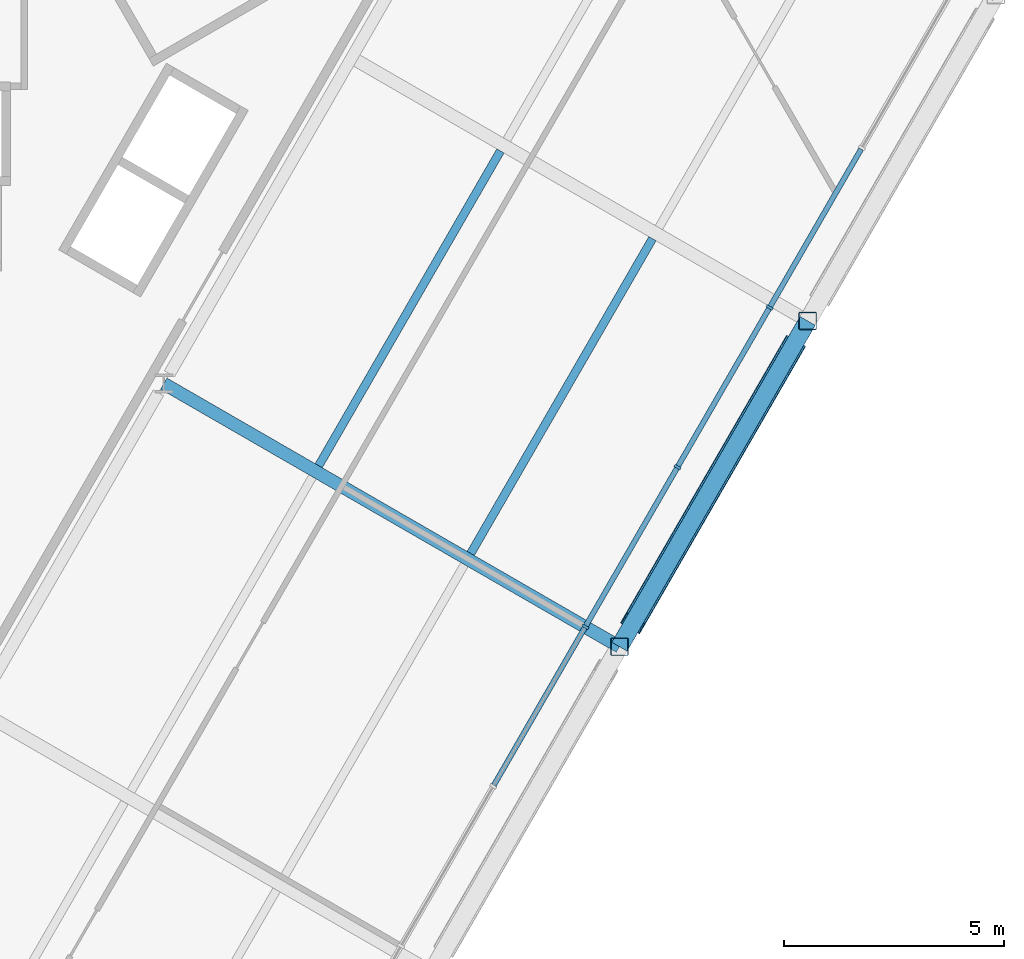
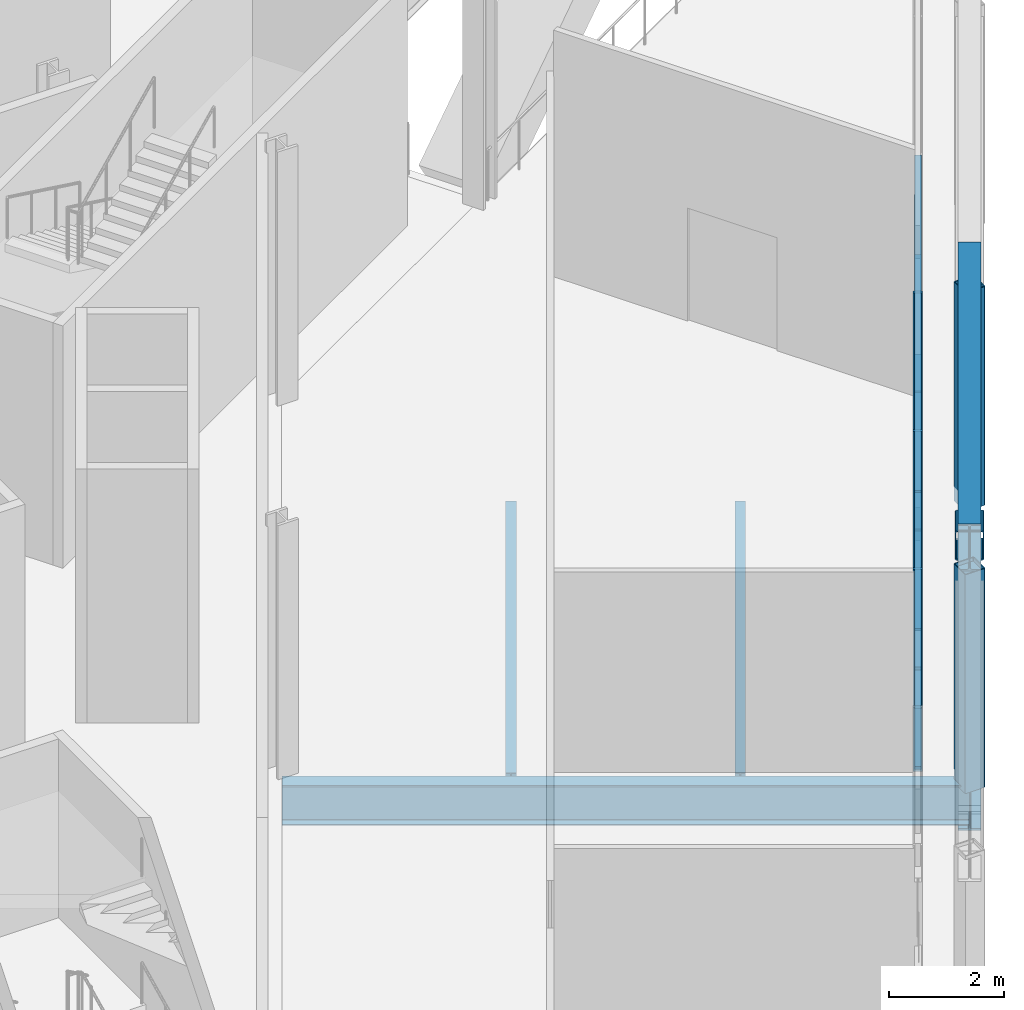
# One storey, part 5 of 20: 18 members, 3 beams, 1 element without a shape of its own.
"""IFC4 building model written with IfcOpenShell, lengths in metres."""

import ifcopenshell
import ifcopenshell.guid

model = None  # the IFC model being written
_history = None  # IfcOwnerHistory: only IFC2X3 demands one
_inside = {}  # id of a spatial element -> (the spatial element, [elements in it])
_under = {}  # id of a project, library or spatial element -> (it, [spatial elements below it])
_declared = {}  # id of a project -> (the project, [libraries it declares])
_typed = {}  # id of a type object -> (the type object, [elements of that type])
_made_of = {}  # id of a material, layer set ... -> (it, [elements and type objects made of it])


def new_model(schema):
    """Start an empty IFC model of exactly this schema.

    Asked for "IFC4X3", IfcOpenShell would pick the latest addendum, in which some entities
    have other attributes; the version numbers below select the first issue.
    IFC2X3 requires an IfcOwnerHistory on every rooted entity: one is made here for all.
    """
    global model, _history
    if schema == "IFC4X3":
        model = ifcopenshell.file(schema_version=(4, 3, 0, 0))
    else:
        model = ifcopenshell.file(schema=schema)
    _inside.clear()
    _under.clear()
    _declared.clear()
    _typed.clear()
    _made_of.clear()
    _history = None
    if model.schema == "IFC2X3":
        org = make("IfcOrganization", Name="unknown")
        user = make(
            "IfcPersonAndOrganization",
            ThePerson=make("IfcPerson", FamilyName="unknown"),
            TheOrganization=org,
        )
        app = make(
            "IfcApplication",
            ApplicationDeveloper=org,
            Version="unknown",
            ApplicationFullName="unknown",
            ApplicationIdentifier="unknown",
        )
        _history = make(
            "IfcOwnerHistory",
            OwningUser=user,
            OwningApplication=app,
            ChangeAction="ADDED",
            CreationDate=0,
        )
    return model


def make(cls, **values):
    """One entity of the class cls with the attributes given. An attribute that is None is left unset."""
    return model.create_entity(
        cls, **{name: value for name, value in values.items() if value is not None}
    )


def rooted(cls, **values):
    """An entity with a GlobalId (a new one), such as an element, a storey or a relation."""
    return make(cls, GlobalId=ifcopenshell.guid.new(), OwnerHistory=_history, **values)


def si_unit(unit_type, name, prefix=None):
    """IfcSIUnit, for example si_unit("LENGTHUNIT", "METRE", prefix="MILLI")."""
    return make("IfcSIUnit", UnitType=unit_type, Prefix=prefix, Name=name)


def assignment(units):
    """IfcUnitAssignment: the units of a project."""
    return None if units is None else make("IfcUnitAssignment", Units=units)


def point(xyz):
    """IfcCartesianPoint."""
    return None if xyz is None else make("IfcCartesianPoint", Coordinates=xyz)


def direction(xyz):
    """IfcDirection."""
    return None if xyz is None else make("IfcDirection", DirectionRatios=xyz)


def frame(location, z_axis=None, x_axis=None):
    """IfcAxis2Placement3D, a coordinate frame: its origin and axes. An axis left out is left unset."""
    return make(
        "IfcAxis2Placement3D",
        Location=point(location),
        Axis=direction(z_axis),
        RefDirection=direction(x_axis),
    )


def frame_2d(location, x_axis=None):
    """IfcAxis2Placement2D, a coordinate frame in the plane: its origin and x axis."""
    return make(
        "IfcAxis2Placement2D", Location=point(location), RefDirection=direction(x_axis)
    )


def origin():
    """The frame at (0, 0, 0) with its axes left unset."""
    return frame((0.0, 0.0, 0.0))


def origin_2d():
    """The frame at (0, 0) in the plane with its x axis left unset."""
    return frame_2d((0.0, 0.0))


def place(relative_to, where):
    """IfcLocalPlacement: puts the frame where relative to a parent placement (None: the world)."""
    return make(
        "IfcLocalPlacement", PlacementRelTo=relative_to, RelativePlacement=where
    )


def context(
    kind, dimensions, precision=None, world=None, true_north=None, identifier=None
):
    """IfcGeometricRepresentationContext, for example the 3D "Model" context."""
    return make(
        "IfcGeometricRepresentationContext",
        ContextIdentifier=identifier,
        ContextType=kind,
        CoordinateSpaceDimension=dimensions,
        Precision=precision,
        WorldCoordinateSystem=world,
        TrueNorth=true_north,
    )


def subcontext(parent, identifier, kind, view, scale=None):
    """IfcGeometricRepresentationSubContext, for example "Body" below "Model"."""
    return make(
        "IfcGeometricRepresentationSubContext",
        ContextIdentifier=identifier,
        ContextType=kind,
        ParentContext=parent,
        TargetScale=scale,
        TargetView=view,
    )


def project(units=None, contexts=None):
    """IfcProject with its units and contexts."""
    return rooted(
        "IfcProject",
        Name="project",
        RepresentationContexts=contexts,
        UnitsInContext=assignment(units),
    )


def spatial(cls, under=None, at=None, **own):
    """A site, building, storey or space (cls), placed at a placement, below another one or the project."""
    s = rooted(cls, ObjectPlacement=at, **own)
    if under is not None:
        _under.setdefault(under.id(), (under, []))[1].append(s)
    return s


def profile(cls, at=None, kind="AREA", **sizes):
    """A parametric profile (cls). Its sizes go by their IFC names, for example OverallWidth=200.0."""
    return make(cls, ProfileType=kind, Position=at, **sizes)


def rectangle(**sizes):
    """IfcRectangleProfileDef."""
    return profile("IfcRectangleProfileDef", **sizes)


def hollow_rectangle(**sizes):
    """IfcRectangleHollowProfileDef."""
    return profile("IfcRectangleHollowProfileDef", **sizes)


def i_section(**sizes):
    """IfcIShapeProfileDef."""
    return profile("IfcIShapeProfileDef", **sizes)


def extrude(swept, where, along, depth):
    """IfcExtrudedAreaSolid: the profile swept, set in the frame where, extruded along a direction by depth."""
    return make(
        "IfcExtrudedAreaSolid",
        SweptArea=swept,
        Position=where,
        ExtrudedDirection=direction(along),
        Depth=depth,
    )


def shape(context_of_items, identifier, shape_type, items):
    """IfcShapeRepresentation: the items that make up one representation, for example the "Body"."""
    return make(
        "IfcShapeRepresentation",
        ContextOfItems=context_of_items,
        RepresentationIdentifier=identifier,
        RepresentationType=shape_type,
        Items=items,
    )


def material(Name=None, Category=None):
    """IfcMaterial."""
    return make("IfcMaterial", Name=Name, Category=Category)


def layer(
    of_material, thickness, ventilated=None, Name=None, Category=None, Priority=None
):
    """IfcMaterialLayer: one layer of a wall or slab, of a material (None: an air gap)."""
    return make(
        "IfcMaterialLayer",
        Material=of_material,
        LayerThickness=thickness,
        IsVentilated=ventilated,
        Name=Name,
        Category=Category,
        Priority=Priority,
    )


def layer_set(layers, Name=None):
    """IfcMaterialLayerSet."""
    return make("IfcMaterialLayerSet", MaterialLayers=layers, LayerSetName=Name)


def material_profile(
    of_material, cross_section, Name=None, Category=None, Priority=None
):
    """IfcMaterialProfile: a cross section and its material."""
    return make(
        "IfcMaterialProfile",
        Name=Name,
        Material=of_material,
        Profile=cross_section,
        Priority=Priority,
        Category=Category,
    )


def profile_set(profiles, Name=None, composite=None):
    """IfcMaterialProfileSet."""
    return make(
        "IfcMaterialProfileSet",
        Name=Name,
        MaterialProfiles=profiles,
        CompositeProfile=composite,
    )


def made_of(thing, what):
    """Note that an element or type object is made of a material, layer set ...; save() writes the relation."""
    if what is not None:
        _made_of.setdefault(what.id(), (what, []))[1].append(thing)
    return thing


def type_object(cls, material=None, **own):
    """A type object (cls), such as IfcWallType, which elements share."""
    return made_of(rooted(cls, **own), material)


def element(
    cls,
    number,
    at=None,
    inside=None,
    cuts=None,
    type_object=None,
    material=None,
    context=None,
    identifier="Body",
    shape_type=None,
    held_by="IfcProductDefinitionShape",
    body=None,
    shapes=None,
    **own,
):
    """One element of the class cls, such as IfcWall. Its Tag is "e" and its number.

    at: its placement. inside: the storey or other place that contains it. cuts: it is an
    opening in that element (IfcRelVoidsElement). A single representation is given by context,
    identifier, shape_type and body (its items); several are given by shapes. held_by: the class
    of the entity that holds the representations. save() writes the other relations.
    """
    e = rooted(cls, Tag="e%d" % number, ObjectPlacement=at, **own)
    if body is not None:
        shapes = [shape(context, identifier, shape_type, body)]
    if shapes is not None:
        e.Representation = make(held_by, Representations=shapes)
    if inside is not None:
        _inside.setdefault(inside.id(), (inside, []))[1].append(e)
    if cuts is not None:
        rooted(
            "IfcRelVoidsElement", RelatingBuildingElement=cuts, RelatedOpeningElement=e
        )
    if type_object is not None:
        _typed.setdefault(type_object.id(), (type_object, []))[1].append(e)
    return made_of(e, material)


def aggregate(whole, parts):
    """IfcRelAggregates: a whole, such as a stair, and the parts it consists of."""
    return rooted("IfcRelAggregates", RelatingObject=whole, RelatedObjects=parts)


def save(model, path):
    """Write the relations noted so far, then the file.

    IfcRelAggregates (storeys below a building ...), IfcRelContainedInSpatialStructure (elements
    in a storey), IfcRelDefinesByType, IfcRelAssociatesMaterial and IfcRelDeclares: one each for
    every whole, place, type object, material and project.
    """
    for whole, parts in _under.values():
        aggregate(whole, parts)
    for where, things in _inside.values():
        rooted(
            "IfcRelContainedInSpatialStructure",
            RelatedElements=things,
            RelatingStructure=where,
        )
    for kind, things in _typed.values():
        rooted("IfcRelDefinesByType", RelatedObjects=things, RelatingType=kind)
    for what, things in _made_of.values():
        rooted("IfcRelAssociatesMaterial", RelatedObjects=things, RelatingMaterial=what)
    for by, libraries in _declared.values():
        rooted("IfcRelDeclares", RelatingContext=by, RelatedDefinitions=libraries)
    model.write(path)


model = new_model("IFC4")

# Units and contexts
model_context = context("Model", 3, precision=1e-05, world=origin(), true_north=direction((0.0, 1.0)))
body_context = subcontext(model_context, "Body", "Model", "MODEL_VIEW")
ifc_project = project(units=[si_unit("LENGTHUNIT", "METRE"), si_unit("AREAUNIT", "SQUARE_METRE"), si_unit("VOLUMEUNIT", "CUBIC_METRE"), si_unit("PLANEANGLEUNIT", "RADIAN"), si_unit("MASSUNIT", "GRAM", prefix="KILO")], contexts=[model_context])

# Site, building, storey
site_placement = place(None, origin())
site = spatial("IfcSite", under=ifc_project, at=site_placement, CompositionType="ELEMENT")
building_placement = place(site_placement, origin())
building = spatial("IfcBuilding", under=site, at=building_placement, Name="Verrane Prism Tower", CompositionType="ELEMENT")
storey_placement = place(building_placement, frame((0.0, 0.0, 12.0)))
storey = spatial("IfcBuildingStorey", under=building, at=storey_placement, Name="L01", CompositionType="ELEMENT", Elevation=12.0)

# Curtain wall, members
ifc_material_1 = material(Name="Aluminium and glass curtain wall", Category="aluminium")
ifc_layer = layer(ifc_material_1, 0.199951171875)
ifc_layer_set = layer_set([ifc_layer], Name="CWB-1 retail curtain wall")
curtain_wall_type = type_object("IfcCurtainWallType", Name="CWB-1 retail curtain wall", PredefinedType="NOTDEFINED", material=ifc_layer_set)
curtain_wall_placement = place(storey_placement, origin())
curtain_wall = element("IfcCurtainWall", 1, at=curtain_wall_placement, inside=storey, type_object=curtain_wall_type, Name="Retail curtain wall L01 6", PredefinedType="NOTDEFINED")
ifc_material_2 = material(Name="Aluminium", Category="aluminium")
ifc_material_profile_1 = material_profile(ifc_material_2, rectangle(XDim=0.159912109375, YDim=0.06005859375, at=origin_2d()), Name="CWB-M 60x160 mullion")
ifc_profile_set_1 = profile_set([ifc_material_profile_1], Name="Aluminium")
member_type_1 = type_object("IfcMemberType", Name="CWB-M 60x160 mullion", PredefinedType="MULLION", material=ifc_profile_set_1)
member_1_placement = place(storey_placement, frame((17.554443359375, -10.135009765625, 0.0), z_axis=(0.0, 0.0, 1.0), x_axis=(-0.866025335097, 0.50000011897, 0.0)))
member_1 = element("IfcMember", 2, at=member_1_placement, type_object=member_type_1, Name="CWB16 mullion 7", PredefinedType="MULLION", context=body_context, shape_type="SweptSolid", body=[
    extrude(rectangle(XDim=0.159912109375, YDim=0.06005859375, at=origin_2d()), origin(), (0.0, 0.0, 1.0), 4.2900390625),
])
member_2_placement = place(storey_placement, frame((19.64990234375, -6.505126953125, 0.0), z_axis=(0.0, 0.0, 1.0), x_axis=(-0.866025335097, 0.50000011897, 0.0)))
member_2 = element("IfcMember", 3, at=member_2_placement, type_object=member_type_1, Name="CWB16 mullion 8", PredefinedType="MULLION", context=body_context, shape_type="SweptSolid", body=[
    extrude(rectangle(XDim=0.159912109375, YDim=0.06005859375, at=origin_2d()), origin(), (0.0, 0.0, 1.0), 4.2900390625),
])
member_3_placement = place(storey_placement, frame((21.74560546875, -2.87548828125, 0.0), z_axis=(0.0, 0.0, 1.0), x_axis=(-0.866025335097, 0.50000011897, 0.0)))
member_3 = element("IfcMember", 4, at=member_3_placement, type_object=member_type_1, Name="CWB16 mullion 9", PredefinedType="MULLION", context=body_context, shape_type="SweptSolid", body=[
    extrude(rectangle(XDim=0.159912109375, YDim=0.06005859375, at=origin_2d()), origin(), (0.0, 0.0, 1.0), 4.2900390625),
])
ifc_material_3 = material(Name="Aluminium", Category="aluminium")
ifc_material_profile_2 = material_profile(ifc_material_3, rectangle(XDim=0.1201171875, YDim=0.06005859375, at=origin_2d()), Name="CWB-T 60x120 transom")
ifc_profile_set_2 = profile_set([ifc_material_profile_2], Name="Aluminium")
member_type_2 = type_object("IfcMemberType", Name="CWB-T 60x120 transom", PredefinedType="USERDEFINED", material=ifc_profile_set_2)
member_4_placement = place(storey_placement, frame((15.4736328125, -13.73876953125, 4.260009765625), z_axis=(0.499996977546, 0.866027148792, 0.0), x_axis=(-0.866027148792, 0.499996977546, 0.0)))
member_4 = element("IfcMember", 5, at=member_4_placement, type_object=member_type_2, Name="CWB16 transom 6.3", ObjectType="TRANSOM", PredefinedType="USERDEFINED", context=body_context, shape_type="SweptSolid", body=[
    extrude(rectangle(XDim=0.1201171875, YDim=0.06005859375, at=origin_2d()), origin(), (0.0, 0.0, 1.0), 4.13134765625),
])
member_5_placement = place(storey_placement, frame((17.5693359375, -10.109130859375, 0.030029296875), z_axis=(0.499996977546, 0.866027148792, 0.0), x_axis=(-0.866027148792, 0.499996977546, 0.0)))
member_5 = element("IfcMember", 6, at=member_5_placement, type_object=member_type_2, Name="CWB16 transom 7.1", ObjectType="TRANSOM", PredefinedType="USERDEFINED", context=body_context, shape_type="SweptSolid", body=[
    extrude(rectangle(XDim=0.1201171875, YDim=0.06005859375, at=origin_2d()), origin(), (0.0, 0.0, 1.0), 4.13134765625),
])
member_6_placement = place(storey_placement, frame((17.5693359375, -10.109130859375, 2.14501953125), z_axis=(0.499996977546, 0.866027148792, 0.0), x_axis=(-0.866027148792, 0.499996977546, 0.0)))
member_6 = element("IfcMember", 7, at=member_6_placement, type_object=member_type_2, Name="CWB16 transom 7.2", ObjectType="TRANSOM", PredefinedType="USERDEFINED", context=body_context, shape_type="SweptSolid", body=[
    extrude(rectangle(XDim=0.1201171875, YDim=0.06005859375, at=origin_2d()), origin(), (0.0, 0.0, 1.0), 4.13134765625),
])
member_7_placement = place(storey_placement, frame((17.5693359375, -10.109130859375, 4.260009765625), z_axis=(0.499996977546, 0.866027148792, 0.0), x_axis=(-0.866027148792, 0.499996977546, 0.0)))
member_7 = element("IfcMember", 8, at=member_7_placement, type_object=member_type_2, Name="CWB16 transom 7.3", ObjectType="TRANSOM", PredefinedType="USERDEFINED", context=body_context, shape_type="SweptSolid", body=[
    extrude(rectangle(XDim=0.1201171875, YDim=0.06005859375, at=origin_2d()), origin(), (0.0, 0.0, 1.0), 4.13134765625),
])
member_8_placement = place(storey_placement, frame((19.6650390625, -6.479248046875, 0.030029296875), z_axis=(0.499996977546, 0.866027148792, 0.0), x_axis=(-0.866027148792, 0.499996977546, 0.0)))
member_8 = element("IfcMember", 9, at=member_8_placement, type_object=member_type_2, Name="CWB16 transom 8.1", ObjectType="TRANSOM", PredefinedType="USERDEFINED", context=body_context, shape_type="SweptSolid", body=[
    extrude(rectangle(XDim=0.1201171875, YDim=0.06005859375, at=origin_2d()), origin(), (0.0, 0.0, 1.0), 4.13134765625),
])
member_9_placement = place(storey_placement, frame((19.6650390625, -6.479248046875, 2.14501953125), z_axis=(0.499996977546, 0.866027148792, 0.0), x_axis=(-0.866027148792, 0.499996977546, 0.0)))
member_9 = element("IfcMember", 10, at=member_9_placement, type_object=member_type_2, Name="CWB16 transom 8.2", ObjectType="TRANSOM", PredefinedType="USERDEFINED", context=body_context, shape_type="SweptSolid", body=[
    extrude(rectangle(XDim=0.1201171875, YDim=0.06005859375, at=origin_2d()), origin(), (0.0, 0.0, 1.0), 4.13134765625),
])
member_10_placement = place(storey_placement, frame((19.6650390625, -6.479248046875, 4.260009765625), z_axis=(0.499996977546, 0.866027148792, 0.0), x_axis=(-0.866027148792, 0.499996977546, 0.0)))
member_10 = element("IfcMember", 11, at=member_10_placement, type_object=member_type_2, Name="CWB16 transom 8.3", ObjectType="TRANSOM", PredefinedType="USERDEFINED", context=body_context, shape_type="SweptSolid", body=[
    extrude(rectangle(XDim=0.1201171875, YDim=0.06005859375, at=origin_2d()), origin(), (0.0, 0.0, 1.0), 4.13134765625),
])
member_11_placement = place(storey_placement, frame((21.7607421875, -2.849365234375, 0.030029296875), z_axis=(0.500022567122, 0.866012374259, 0.0), x_axis=(-0.866012374259, 0.500022567122, 0.0)))
member_11 = element("IfcMember", 12, at=member_11_placement, type_object=member_type_2, Name="CWB16 transom 9.1", ObjectType="TRANSOM", PredefinedType="USERDEFINED", context=body_context, shape_type="SweptSolid", body=[
    extrude(rectangle(XDim=0.1201171875, YDim=0.06005859375, at=origin_2d()), origin(), (0.0, 0.0, 1.0), 4.131103515625),
])
member_12_placement = place(storey_placement, frame((21.7607421875, -2.849365234375, 2.14501953125), z_axis=(0.500022567122, 0.866012374259, 0.0), x_axis=(-0.866012374259, 0.500022567122, 0.0)))
member_12 = element("IfcMember", 13, at=member_12_placement, type_object=member_type_2, Name="CWB16 transom 9.2", ObjectType="TRANSOM", PredefinedType="USERDEFINED", context=body_context, shape_type="SweptSolid", body=[
    extrude(rectangle(XDim=0.1201171875, YDim=0.06005859375, at=origin_2d()), origin(), (0.0, 0.0, 1.0), 4.131103515625),
])
member_13_placement = place(storey_placement, frame((21.7607421875, -2.849365234375, 4.260009765625), z_axis=(0.500022567122, 0.866012374259, 0.0), x_axis=(-0.866012374259, 0.500022567122, 0.0)))
member_13 = element("IfcMember", 14, at=member_13_placement, type_object=member_type_2, Name="CWB16 transom 9.3", ObjectType="TRANSOM", PredefinedType="USERDEFINED", context=body_context, shape_type="SweptSolid", body=[
    extrude(rectangle(XDim=0.1201171875, YDim=0.06005859375, at=origin_2d()), origin(), (0.0, 0.0, 1.0), 4.131103515625),
])
aggregate(curtain_wall, [member_1, member_2, member_3, member_4, member_5, member_6, member_7, member_8, member_9, member_10, member_11, member_12, member_13])

# Beams
ifc_material_4 = material(Name="Steel A992", Category="steel")
ifc_material_profile_3 = material_profile(ifc_material_4, i_section(OverallWidth=0.1904296875, OverallDepth=0.457275390625, WebThickness=0.009033203125, FlangeThickness=0.014404296875, FilletRadius=0.01025390625, at=origin_2d()), Name="W18x50")
ifc_profile_set_3 = profile_set([ifc_material_profile_3], Name="Steel A992")
beam_type_1 = type_object("IfcBeamType", Name="Floor beam W18x50", PredefinedType="BEAM", material=ifc_profile_set_3)
beam_1_placement = place(storey_placement, frame((14.947021484375, -8.46875, -0.388671875), z_axis=(0.500007931068, 0.866020824732, 0.0), x_axis=(-0.866020824732, 0.500007931068, 0.0)))
element("IfcBeam", 15, at=beam_1_placement, inside=storey, type_object=beam_type_1, Name="Floor beam L01", PredefinedType="BEAM", context=body_context, shape_type="SweptSolid", body=[
    extrude(i_section(OverallWidth=0.1904296875, OverallDepth=0.457275390625, WebThickness=0.009033203125, FlangeThickness=0.014404296875, FilletRadius=0.01025390625, at=origin_2d()), origin(), (0.0, 0.0, 1.0), 8.266357421875),
])
beam_2_placement = place(storey_placement, frame((11.48974609375, -6.47314453125, -0.388671875), z_axis=(0.500010437756, 0.866019377459, 0.0), x_axis=(-0.866019377459, 0.500010437756, 0.0)))
element("IfcBeam", 16, at=beam_2_placement, inside=storey, type_object=beam_type_1, Name="Floor beam L01", PredefinedType="BEAM", context=body_context, shape_type="SweptSolid", body=[
    extrude(i_section(OverallWidth=0.1904296875, OverallDepth=0.457275390625, WebThickness=0.009033203125, FlangeThickness=0.014404296875, FilletRadius=0.01025390625, at=origin_2d()), origin(), (0.0, 0.0, 1.0), 8.267822265625),
])
ifc_material_5 = material(Name="Steel A992", Category="steel")
ifc_material_profile_4 = material_profile(ifc_material_5, i_section(OverallWidth=0.2919921875, OverallDepth=0.845703125, WebThickness=0.015380859375, FlangeThickness=0.0244140625, FilletRadius=0.017822265625, at=origin_2d()), Name="W33x141")
ifc_profile_set_4 = profile_set([ifc_material_profile_4], Name="Steel A992")
beam_type_2 = type_object("IfcBeamType", Name="Radial girder W33x141", PredefinedType="BEAM", material=ifc_profile_set_4)
beam_3_placement = place(storey_placement, frame((18.330078125, -10.590087890625, -0.642822265625), z_axis=(-0.866021154013, 0.500007360747, 0.0), x_axis=(-0.500007360747, -0.866021154013, 0.0)))
element("IfcBeam", 17, at=beam_3_placement, inside=storey, type_object=beam_type_2, Name="Radial girder L01", PredefinedType="BEAM", context=body_context, shape_type="SweptSolid", body=[
    extrude(i_section(OverallWidth=0.2919921875, OverallDepth=0.845703125, WebThickness=0.015380859375, FlangeThickness=0.0244140625, FilletRadius=0.017822265625, at=origin_2d()), origin(), (0.0, 0.0, 1.0), 11.967041015625),
])

# Members
ifc_material_6 = material(Name="Steel A992", Category="steel")
ifc_material_profile_5 = material_profile(ifc_material_6, i_section(OverallWidth=0.4013671875, OverallDepth=1.000732421875, WebThickness=0.01904296875, FlangeThickness=0.0361328125, FilletRadius=0.030029296875, at=origin_2d()), Name="W40x249")
ifc_profile_set_5 = profile_set([ifc_material_profile_5], Name="Steel A992")
member_type_3 = type_object("IfcMemberType", Name="Transfer truss chord W40x249", PredefinedType="CHORD", material=ifc_profile_set_5)
member_14_placement = place(storey_placement, frame((18.330078125, -10.590087890625, 4.739501953125), z_axis=(0.500155435615, 0.86593564439, 0.0), x_axis=(-0.86593564439, 0.500155435615, 0.0)))
element("IfcMember", 18, at=member_14_placement, inside=storey, type_object=member_type_3, Name="Truss chord L01", PredefinedType="CHORD", context=body_context, shape_type="SweptSolid", body=[
    extrude(i_section(OverallWidth=0.4013671875, OverallDepth=1.000732421875, WebThickness=0.01904296875, FlangeThickness=0.0361328125, FilletRadius=0.030029296875, at=origin_2d()), origin(), (0.0, 0.0, 1.0), 8.557373046875),
])
ifc_material_7 = material(Name="Steel A992", Category="steel")
ifc_material_profile_6 = material_profile(ifc_material_7, i_section(OverallWidth=0.40380859375, OverallDepth=1.11767578125, WebThickness=0.026123046875, FlangeThickness=0.044921875, FilletRadius=0.02001953125, at=origin_2d()), Name="W44x335")
ifc_profile_set_6 = profile_set([ifc_material_profile_6], Name="Steel A992")
member_type_4 = type_object("IfcMemberType", Name="Transfer truss chord W44x335", PredefinedType="CHORD", material=ifc_profile_set_6)
member_15_placement = place(storey_placement, frame((18.330078125, -10.590087890625, -0.72119140625), z_axis=(0.500155435615, 0.86593564439, 0.0), x_axis=(-0.86593564439, 0.500155435615, 0.0)))
element("IfcMember", 19, at=member_15_placement, inside=storey, type_object=member_type_4, Name="Truss chord L01", PredefinedType="CHORD", context=body_context, shape_type="SweptSolid", body=[
    extrude(i_section(OverallWidth=0.40380859375, OverallDepth=1.11767578125, WebThickness=0.026123046875, FlangeThickness=0.044921875, FilletRadius=0.02001953125, at=origin_2d()), origin(), (0.0, 0.0, 1.0), 8.557373046875),
])
ifc_material_8 = material(Name="Steel A500 Grade C", Category="steel")
ifc_material_profile_7 = material_profile(ifc_material_8, hollow_rectangle(XDim=0.508056640625, YDim=0.508056640625, WallThickness=0.01904296875, InnerFilletRadius=0.009521484375, OuterFilletRadius=0.028564453125, at=origin_2d()), Name="HSS20x20x3/4")
ifc_profile_set_7 = profile_set([ifc_material_profile_7], Name="Steel A500 Grade C")
member_type_5 = type_object("IfcMemberType", Name="Transfer truss diagonal HSS20x20x3/4", PredefinedType="BRACE", material=ifc_profile_set_7)
member_16_placement = place(storey_placement, frame((22.280517578125, -3.75048828125, -0.30078125), z_axis=(-0.421636436752, -0.729955256659, 0.537947988637), x_axis=(0.865924412522, -0.500174881215, 0.0)))
element("IfcMember", 20, at=member_16_placement, inside=storey, type_object=member_type_5, Name="Truss diagonal L01", PredefinedType="BRACE", context=body_context, shape_type="SweptSolid", body=[
    extrude(hollow_rectangle(XDim=0.508056640625, YDim=0.508056640625, WallThickness=0.01904296875, InnerFilletRadius=0.009521484375, OuterFilletRadius=0.028564453125, at=origin_2d()), origin(), (0.0, 0.0, 1.0), 8.643798828125),
])
ifc_material_9 = material(Name="Steel A500 Grade C", Category="steel")
ifc_material_profile_8 = material_profile(ifc_material_9, hollow_rectangle(XDim=0.406494140625, YDim=0.406494140625, WallThickness=0.01904296875, InnerFilletRadius=0.009521484375, OuterFilletRadius=0.028564453125, at=origin_2d()), Name="HSS16x16x3/4")
ifc_profile_set_8 = profile_set([ifc_material_profile_8], Name="Steel A500 Grade C")
member_type_6 = type_object("IfcMemberType", Name="Transfer truss post HSS16x16x3/4", PredefinedType="POST", material=ifc_profile_set_8)
for number, where, z_axis, x_axis, name in (
    (21, (18.330078125, -10.590087890625, -0.30078125), (0.0, 0.0, 1.0), (1.0, 0.0, 0.0), "Truss post L01"),
    (22, (22.610107421875, -3.179931640625, -0.30078125), (0.0, 0.0, 1.0), (1.0, 0.0, 0.0), "Truss post L01"),
):
    element("IfcMember", number, at=place(storey_placement, frame(where, z_axis=z_axis, x_axis=x_axis)), inside=storey, type_object=member_type_6, Name=name, PredefinedType="POST", context=body_context, shape_type="SweptSolid", body=[
        extrude(hollow_rectangle(XDim=0.406494140625, YDim=0.406494140625, WallThickness=0.01904296875, InnerFilletRadius=0.009521484375, OuterFilletRadius=0.028564453125, at=origin_2d()), origin(), (0.0, 0.0, 1.0), 4.64990234375),
    ])

save(model, "model.ifc")
